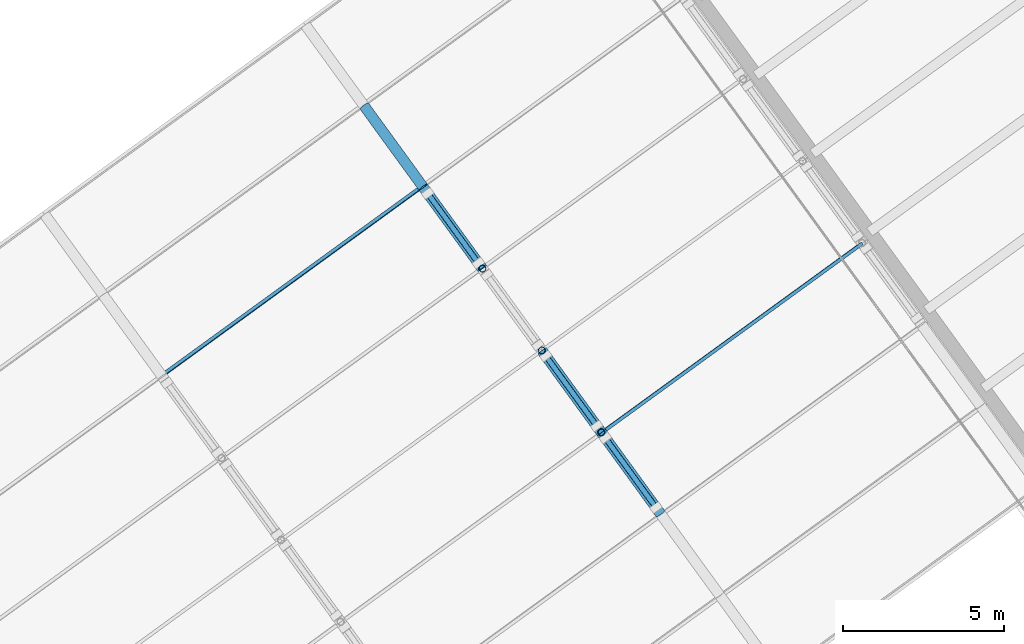
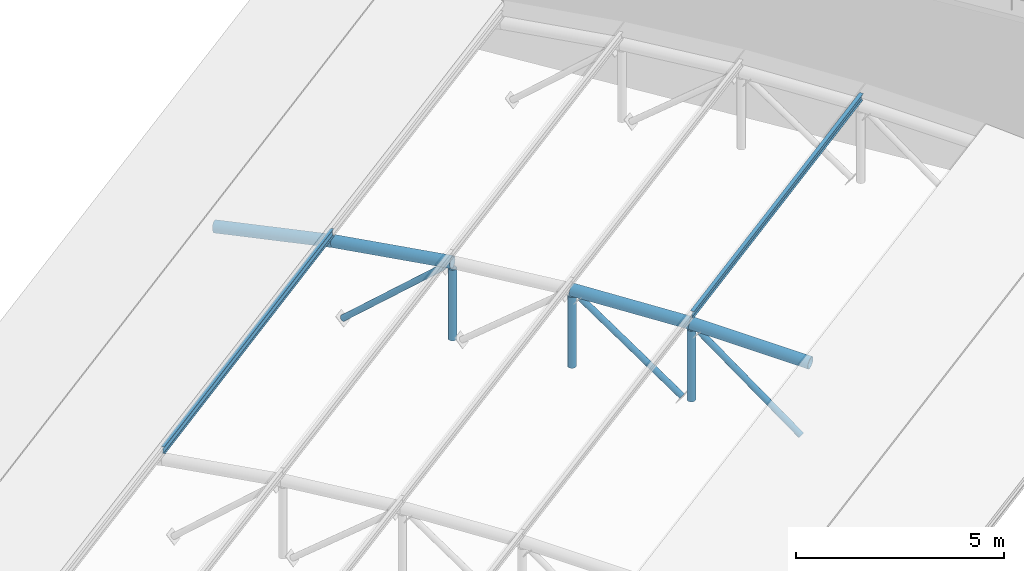
# One storey, part 20 of 41: 10 members, 2 beams.
"""IFC4 building model written with IfcOpenShell, lengths in metres."""

from ifc_helpers import new_model, si_unit, direction, frame, origin, origin_2d, place, context, subcontext, project, spatial, hollow_circle, i_section, extrude, material, material_profile, profile_set, type_object, element, save


model = new_model("IFC4")

# Units and contexts
model_context = context("Model", 3, precision=1e-05, world=origin(), true_north=direction((0.0, 1.0)))
body_context = subcontext(model_context, "Body", "Model", "MODEL_VIEW")
ifc_project = project(units=[si_unit("LENGTHUNIT", "METRE"), si_unit("AREAUNIT", "SQUARE_METRE"), si_unit("VOLUMEUNIT", "CUBIC_METRE"), si_unit("PLANEANGLEUNIT", "RADIAN"), si_unit("MASSUNIT", "GRAM", prefix="KILO")], contexts=[model_context])

# Site, building, storey
site_placement = place(None, origin())
site = spatial("IfcSite", under=ifc_project, at=site_placement, CompositionType="ELEMENT")
building_placement = place(site_placement, origin())
building = spatial("IfcBuilding", under=site, at=building_placement, Name="Okhra Congress Centre", CompositionType="ELEMENT")
storey_placement = place(building_placement, frame((0.0, 0.0, 21.60009765625)))
storey = spatial("IfcBuildingStorey", under=building, at=storey_placement, Name="ROOF", CompositionType="ELEMENT", Elevation=21.60009765625)

# Members
ifc_material_1 = material(Name="Steel S355J2H", Category="steel")
ifc_material_profile_1 = material_profile(ifc_material_1, hollow_circle(Radius=0.084228515625, WallThickness=0.00634765625, at=origin_2d()), Name="CHS 168.3x6.3")
ifc_profile_set_1 = profile_set([ifc_material_profile_1], Name="Steel S355J2H")
member_type_1 = type_object("IfcMemberType", Name="CHS 168.3x6.3", PredefinedType="BRACE", material=ifc_profile_set_1)
member_1_placement = place(storey_placement, frame((257.931640625, 202.468505859375, -1.07080078125), z_axis=(-0.446907559509, 0.615039240618, 0.649615552272), x_axis=(-0.808982344695, -0.587832940529, 0.0)))
element("IfcMember", 1, at=member_1_placement, inside=storey, type_object=member_type_1, Name="Truss 6 diagonal 8", PredefinedType="BRACE", context=body_context, shape_type="SweptSolid", body=[
    extrude(hollow_circle(Radius=0.084228515625, WallThickness=0.00634765625, at=origin_2d()), origin(), (0.0, 0.0, 1.0), 3.4951171875),
])
member_2_placement = place(storey_placement, frame((256.092529296875, 204.999755859375, -0.812255859375), z_axis=(-0.460427799508, 0.633760263966, 0.621573945125), x_axis=(-0.809032767915, -0.587763541264, 0.0)))
element("IfcMember", 2, at=member_2_placement, inside=storey, type_object=member_type_1, Name="Truss 6 diagonal 9", PredefinedType="BRACE", context=body_context, shape_type="SweptSolid", body=[
    extrude(hollow_circle(Radius=0.084228515625, WallThickness=0.00634765625, at=origin_2d()), origin(), (0.0, 0.0, 1.0), 3.40576171875),
])
member_3_placement = place(storey_placement, frame((250.8505859375, 212.214599609375, -1.07080078125), z_axis=(0.446907559509, -0.615039240618, 0.649615552272), x_axis=(0.808982344695, 0.587832940529, 0.0)))
element("IfcMember", 3, at=member_3_placement, inside=storey, type_object=member_type_1, Name="Truss 6 diagonal 11", PredefinedType="BRACE", context=body_context, shape_type="SweptSolid", body=[
    extrude(hollow_circle(Radius=0.084228515625, WallThickness=0.00634765625, at=origin_2d()), origin(), (0.0, 0.0, 1.0), 3.4951171875),
])
ifc_material_profile_2 = material_profile(ifc_material_1, hollow_circle(Radius=0.109619140625, WallThickness=0.008056640625, at=origin_2d()), Name="CHS 219.1x8")
ifc_profile_set_2 = profile_set([ifc_material_profile_2], Name="Steel S355J2H")
member_type_2 = type_object("IfcMemberType", Name="CHS 219.1x8", PredefinedType="POST", material=ifc_profile_set_2)
member_4_placement = place(storey_placement, frame((256.236572265625, 204.801513671875, -0.842529296875), z_axis=(0.0, 0.0, 1.0), x_axis=(1.0, 0.0, 0.0)))
element("IfcMember", 4, at=member_4_placement, inside=storey, type_object=member_type_2, Name="Truss 6 post 8", PredefinedType="POST", context=body_context, shape_type="SweptSolid", body=[
    extrude(hollow_circle(Radius=0.109619140625, WallThickness=0.008056640625, at=origin_2d()), origin(), (0.0, 0.0, 1.0), 2.071533203125),
])
member_5_placement = place(storey_placement, frame((254.39111328125, 207.341552734375, -0.75146484375), z_axis=(0.0, 0.0, 1.0), x_axis=(1.0, 0.0, 0.0)))
element("IfcMember", 5, at=member_5_placement, inside=storey, type_object=member_type_2, Name="Truss 6 post 9", PredefinedType="POST", context=body_context, shape_type="SweptSolid", body=[
    extrude(hollow_circle(Radius=0.109619140625, WallThickness=0.008056640625, at=origin_2d()), origin(), (0.0, 0.0, 1.0), 2.072021484375),
])
member_6_placement = place(storey_placement, frame((252.545654296875, 209.8818359375, -0.842529296875), z_axis=(0.0, 0.0, 1.0), x_axis=(1.0, 0.0, 0.0)))
element("IfcMember", 6, at=member_6_placement, inside=storey, type_object=member_type_2, Name="Truss 6 post 10", PredefinedType="POST", context=body_context, shape_type="SweptSolid", body=[
    extrude(hollow_circle(Radius=0.109619140625, WallThickness=0.008056640625, at=origin_2d()), origin(), (0.0, 0.0, 1.0), 2.071533203125),
])
ifc_material_profile_3 = material_profile(ifc_material_1, hollow_circle(Radius=0.161865234375, WallThickness=0.012451171875, at=origin_2d()), Name="CHS 323.9x12.5")
ifc_profile_set_3 = profile_set([ifc_material_profile_3], Name="Steel S355J2H")
member_type_3 = type_object("IfcMemberType", Name="CHS 323.9x12.5", PredefinedType="CHORD", material=ifc_profile_set_3)
member_7_placement = place(storey_placement, frame((258.075927734375, 202.269775390625, 1.119384765625), z_axis=(-0.58553770002, 0.805949820707, 0.087123408777), x_axis=(-0.809026121159, -0.587772690146, 0.0)))
element("IfcMember", 7, at=member_7_placement, inside=storey, type_object=member_type_3, Name="Truss 6 top chord 8", PredefinedType="CHORD", context=body_context, shape_type="SweptSolid", body=[
    extrude(hollow_circle(Radius=0.161865234375, WallThickness=0.012451171875, at=origin_2d()), origin(), (0.0, 0.0, 1.0), 3.141357421875),
])
for number, where, z_axis, x_axis, name in (
    (8, (256.236572265625, 204.801513671875, 1.39306640625), (-0.587538134891, 0.808671352746, 0.029147612195), (-0.809015088623, -0.587787875327, 0.0), "Truss 6 top chord 9"),
    (9, (252.545654296875, 209.8818359375, 1.39306640625), (-0.585574378555, 0.805922581794, -0.087128866254), (-0.808999165888, -0.587809790317, 0.0), "Truss 6 top chord 11"),
    (10, (250.706298828125, 212.413330078125, 1.119384765625), (-0.581594707866, 0.800460229362, -0.144951774712), (-0.809004349852, -0.587802655592, 0.0), "Truss 6 top chord 12"),
):
    element("IfcMember", number, at=place(storey_placement, frame(where, z_axis=z_axis, x_axis=x_axis)), inside=storey, type_object=member_type_3, Name=name, PredefinedType="CHORD", context=body_context, shape_type="SweptSolid", body=[
        extrude(hollow_circle(Radius=0.161865234375, WallThickness=0.012451171875, at=origin_2d()), origin(), (0.0, 0.0, 1.0), 3.14111328125),
    ])

# Beams
ifc_material_2 = material(Name="Steel S355J2", Category="steel")
ifc_material_profile_4 = material_profile(ifc_material_2, i_section(OverallWidth=0.10009765625, OverallDepth=0.199951171875, WebThickness=0.005615234375, FlangeThickness=0.008544921875, FilletRadius=0.011962890625, at=origin_2d()), Name="IPE 200")
ifc_profile_set_4 = profile_set([ifc_material_profile_4], Name="Steel S355J2")
beam_type = type_object("IfcBeamType", Name="IPE 200", PredefinedType="BEAM", material=ifc_profile_set_4)
beam_1_placement = place(storey_placement, frame((256.24560546875, 204.789306640625, 1.651611328125), z_axis=(0.809022099746, 0.587778225288, 0.0), x_axis=(-0.58678379756, 0.807653362398, 0.058144828905)))
element("IfcBeam", 11, at=beam_1_placement, inside=storey, type_object=beam_type, Name="Purlin 9.54", PredefinedType="BEAM", context=body_context, shape_type="SweptSolid", body=[
    extrude(i_section(OverallWidth=0.10009765625, OverallDepth=0.199951171875, WebThickness=0.005615234375, FlangeThickness=0.008544921875, FilletRadius=0.011962890625, at=origin_2d()), origin(), (0.0, 0.0, 1.0), 9.999755859375),
])
beam_2_placement = place(storey_placement, frame((242.598388671875, 206.559814453125, 1.376708984375), z_axis=(0.809018924928, 0.587782595105, 0.0), x_axis=(-0.583808219471, 0.803548628377, -0.116092914131)))
element("IfcBeam", 12, at=beam_2_placement, inside=storey, type_object=beam_type, Name="Purlin 12.71", PredefinedType="BEAM", context=body_context, shape_type="SweptSolid", body=[
    extrude(i_section(OverallWidth=0.10009765625, OverallDepth=0.199951171875, WebThickness=0.005615234375, FlangeThickness=0.008544921875, FilletRadius=0.011962890625, at=origin_2d()), origin(), (0.0, 0.0, 1.0), 10.000244140625),
])

save(model, "model.ifc")
